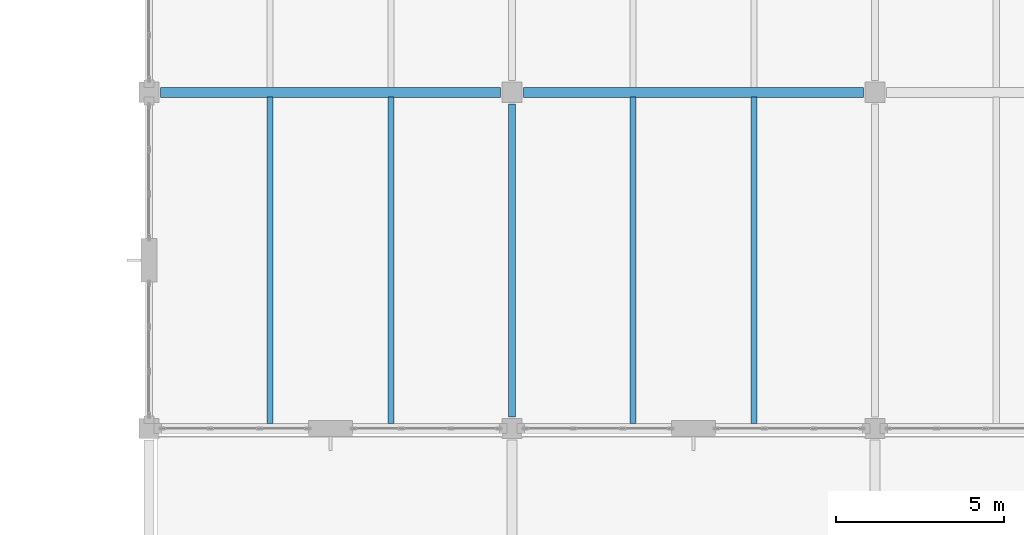
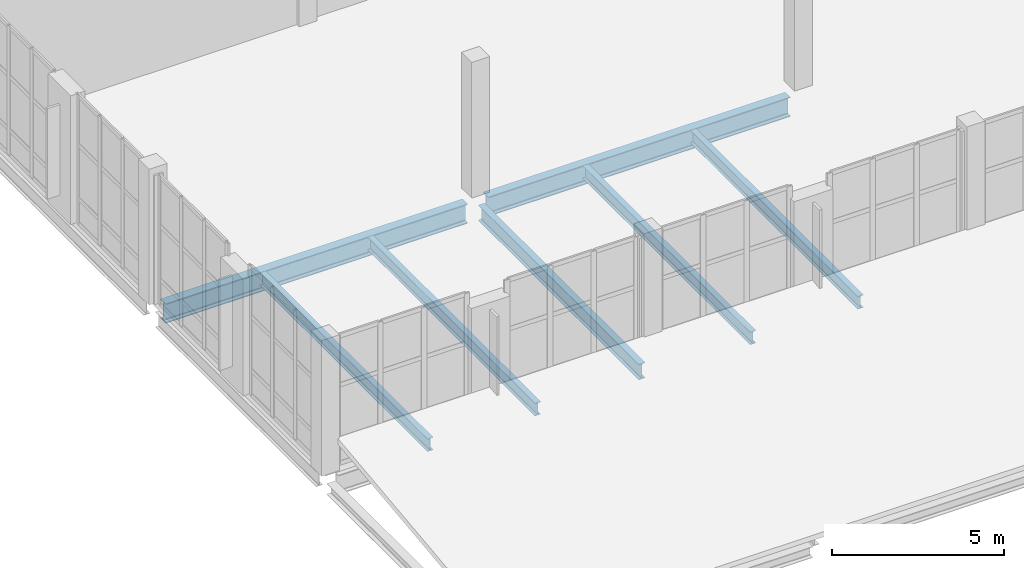
# One storey, part 27 of 100: 7 beams.
"""IFC4 building model written with IfcOpenShell, lengths in metres."""

from ifc_helpers import new_model, si_unit, direction, frame, origin, origin_2d, place, context, subcontext, project, spatial, i_section, extrude, material, material_profile, profile_set, type_object, element, save


model = new_model("IFC4")

# Units and contexts
model_context = context("Model", 3, precision=1e-05, world=origin(), true_north=direction((0.0, 1.0)))
body_context = subcontext(model_context, "Body", "Model", "MODEL_VIEW")
ifc_project = project(units=[si_unit("LENGTHUNIT", "METRE"), si_unit("AREAUNIT", "SQUARE_METRE"), si_unit("VOLUMEUNIT", "CUBIC_METRE"), si_unit("PLANEANGLEUNIT", "RADIAN"), si_unit("MASSUNIT", "GRAM", prefix="KILO")], contexts=[model_context])

# Site, building, storey
site_placement = place(None, origin())
site = spatial("IfcSite", under=ifc_project, at=site_placement, CompositionType="ELEMENT")
building_placement = place(site_placement, origin())
building = spatial("IfcBuilding", under=site, at=building_placement, Name="Tasgan Crest Museum", CompositionType="ELEMENT")
storey_placement = place(building_placement, frame((0.0, 0.0, 9.60009765625)))
storey = spatial("IfcBuildingStorey", under=building, at=storey_placement, Name="L02", CompositionType="ELEMENT", Elevation=9.60009765625)

# Beams
ifc_material_1 = material(Name="Steel S355K2", Category="steel")
ifc_material_profile_1 = material_profile(ifc_material_1, i_section(OverallWidth=0.300048828125, OverallDepth=0.68994140625, WebThickness=0.014404296875, FlangeThickness=0.027099609375, FilletRadius=0.027099609375, at=origin_2d()), Name="HEA 700")
ifc_profile_set_1 = profile_set([ifc_material_profile_1], Name="Steel S355K2")
beam_type_1 = type_object("IfcBeamType", Name="BM-G-HEA700", PredefinedType="BEAM", material=ifc_profile_set_1)
beam_1_placement = place(storey_placement, frame((108.345947265625, 30.0, -0.625), z_axis=(1.0, 0.0, 0.0), x_axis=(0.0, 1.0, 0.0)))
element("IfcBeam", 1, at=beam_1_placement, inside=storey, type_object=beam_type_1, Name="Girder L02 D 108.0-118.8", PredefinedType="BEAM", context=body_context, shape_type="SweptSolid", body=[
    extrude(i_section(OverallWidth=0.300048828125, OverallDepth=0.68994140625, WebThickness=0.014404296875, FlangeThickness=0.027099609375, FilletRadius=0.027099609375, at=origin_2d()), origin(), (0.0, 0.0, 1.0), 10.108154296875),
])
beam_2_placement = place(storey_placement, frame((119.14599609375, 30.0, -0.625), z_axis=(1.0, 0.0, 0.0), x_axis=(0.0, 1.0, 0.0)))
element("IfcBeam", 2, at=beam_2_placement, inside=storey, type_object=beam_type_1, Name="Girder L02 D 118.8-129.6", PredefinedType="BEAM", context=body_context, shape_type="SweptSolid", body=[
    extrude(i_section(OverallWidth=0.300048828125, OverallDepth=0.68994140625, WebThickness=0.014404296875, FlangeThickness=0.027099609375, FilletRadius=0.027099609375, at=origin_2d()), origin(), (0.0, 0.0, 1.0), 10.10791015625),
])
ifc_material_2 = material(Name="Steel S355J2", Category="steel")
ifc_material_profile_2 = material_profile(ifc_material_2, i_section(OverallWidth=0.2099609375, OverallDepth=0.550048828125, WebThickness=0.010986328125, FlangeThickness=0.01708984375, FilletRadius=0.02392578125, at=origin_2d()), Name="IPE 550")
ifc_profile_set_2 = profile_set([ifc_material_profile_2], Name="Steel S355J2")
beam_type_2 = type_object("IfcBeamType", Name="BM-G-IPE550", PredefinedType="BEAM", material=ifc_profile_set_2)
beam_3_placement = place(storey_placement, frame((118.800048828125, 20.344970703125, -0.55517578125), z_axis=(0.0, 1.0, 0.0), x_axis=(-1.0, 0.0, 0.0)))
element("IfcBeam", 3, at=beam_3_placement, inside=storey, type_object=beam_type_2, Name="Beam L02 12 20.0-30.0", PredefinedType="BEAM", context=body_context, shape_type="SweptSolid", body=[
    extrude(i_section(OverallWidth=0.2099609375, OverallDepth=0.550048828125, WebThickness=0.010986328125, FlangeThickness=0.01708984375, FilletRadius=0.02392578125, at=origin_2d()), origin(), (0.0, 0.0, 1.0), 9.31005859375),
])
ifc_material_3 = material(Name="Steel S355J2", Category="steel")
ifc_material_profile_3 = material_profile(ifc_material_3, i_section(OverallWidth=0.18994140625, OverallDepth=0.449951171875, WebThickness=0.009521484375, FlangeThickness=0.0146484375, FilletRadius=0.02099609375, at=origin_2d()), Name="IPE 450")
ifc_profile_set_3 = profile_set([ifc_material_profile_3], Name="Steel S355J2")
beam_type_3 = type_object("IfcBeamType", Name="BM-J-IPE450", PredefinedType="JOIST", material=ifc_profile_set_3)
for number, where, z_axis, x_axis, name in (
    (4, (111.60009765625, 20.14501953125, -0.505126953125), (0.0, 1.0, 0.0), (-1.0, 0.0, 0.0), "Secondary joist L02 X=111.6 Y=20.0-30.0"),
    (5, (115.199951171875, 20.14501953125, -0.505126953125), (0.0, 1.0, 0.0), (-1.0, 0.0, 0.0), "Secondary joist L02 X=115.2 Y=20.0-30.0"),
    (6, (122.39990234375, 20.14501953125, -0.505126953125), (0.0, 1.0, 0.0), (-1.0, 0.0, 0.0), "Secondary joist L02 X=122.4 Y=20.0-30.0"),
    (7, (126.0, 20.14501953125, -0.505126953125), (0.0, 1.0, 0.0), (-1.0, 0.0, 0.0), "Secondary joist L02 X=126.0 Y=20.0-30.0"),
):
    element("IfcBeam", number, at=place(storey_placement, frame(where, z_axis=z_axis, x_axis=x_axis)), inside=storey, type_object=beam_type_3, Name=name, PredefinedType="JOIST", context=body_context, shape_type="SweptSolid", body=[
        extrude(i_section(OverallWidth=0.18994140625, OverallDepth=0.449951171875, WebThickness=0.009521484375, FlangeThickness=0.0146484375, FilletRadius=0.02099609375, at=origin_2d()), origin(), (0.0, 0.0, 1.0), 9.7099609375),
    ])

save(model, "model.ifc")
